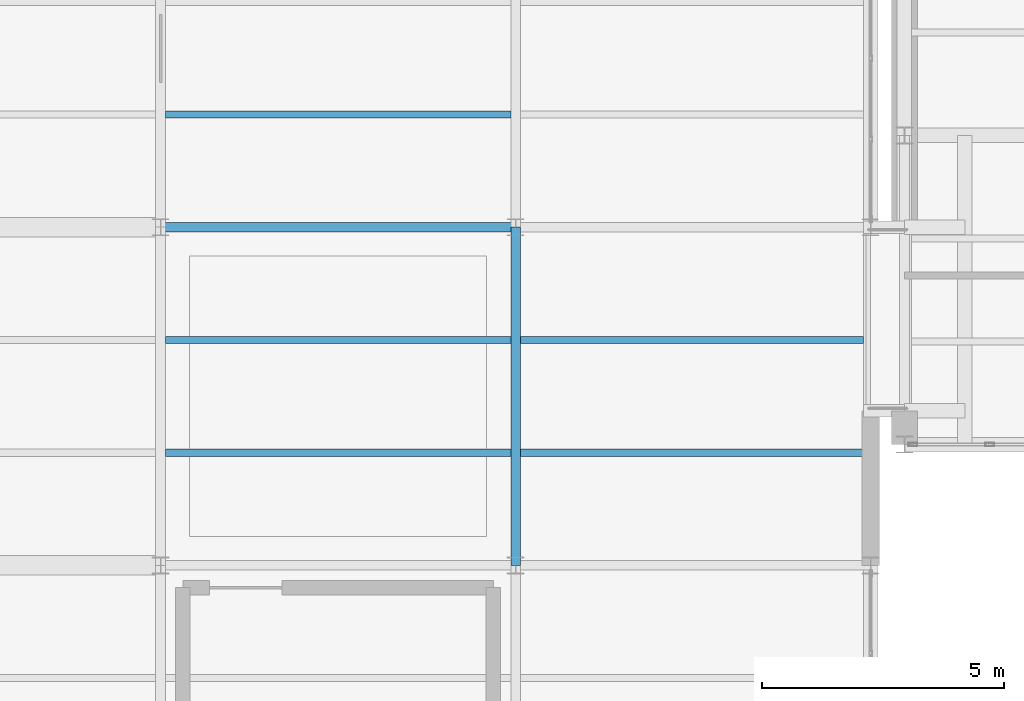
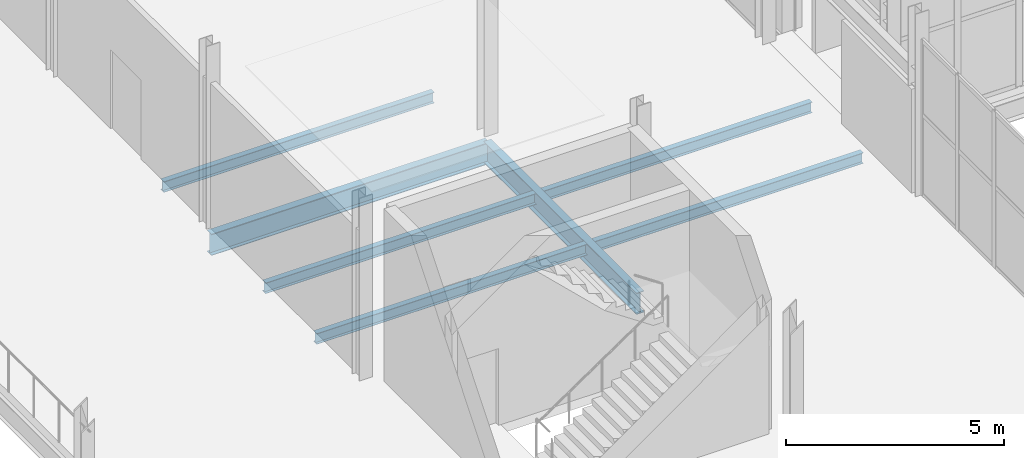
# One storey, part 43 of 218: 7 beams.
"""IFC4 building model written with IfcOpenShell, lengths in metres."""

from ifc_helpers import new_model, si_unit, direction, frame, origin, origin_2d, place, context, subcontext, project, spatial, i_section, extrude, material, material_profile, profile_set, type_object, element, save


model = new_model("IFC4")

# Units and contexts
model_context = context("Model", 3, precision=1e-05, world=origin(), true_north=direction((0.0, 1.0)))
body_context = subcontext(model_context, "Body", "Model", "MODEL_VIEW")
ifc_project = project(units=[si_unit("LENGTHUNIT", "METRE"), si_unit("AREAUNIT", "SQUARE_METRE"), si_unit("VOLUMEUNIT", "CUBIC_METRE"), si_unit("PLANEANGLEUNIT", "RADIAN"), si_unit("MASSUNIT", "GRAM", prefix="KILO")], contexts=[model_context])

# Site, building, storey
site_placement = place(None, origin())
site = spatial("IfcSite", under=ifc_project, at=site_placement, CompositionType="ELEMENT")
building_placement = place(site_placement, origin())
building = spatial("IfcBuilding", under=site, at=building_placement, Name="Kazenagashi Tramway Depot", CompositionType="ELEMENT")
storey_placement = place(building_placement, frame((0.0, 0.0, 6.0)))
storey = spatial("IfcBuildingStorey", under=building, at=storey_placement, Name="L02", CompositionType="ELEMENT", Elevation=6.0)

# Beams
ifc_material_1 = material(Name="Steel SN490B", Category="steel")
ifc_material_profile_1 = material_profile(ifc_material_1, i_section(OverallWidth=0.2, OverallDepth=0.6, WebThickness=0.011, FlangeThickness=0.017, at=origin_2d()), Name="H-600x200x11x17")
ifc_profile_set_1 = profile_set([ifc_material_profile_1], Name="Steel SN490B")
beam_type_1 = type_object("IfcBeamType", Name="G-03", PredefinedType="BEAM", material=ifc_profile_set_1)
beam_1_placement = place(storey_placement, frame((29.4, 21.0, -0.55), z_axis=(1.0, 0.0, 0.0), x_axis=(0.0, 1.0, 0.0)))
element("IfcBeam", 1, at=beam_1_placement, inside=storey, type_object=beam_type_1, Name="Beam G-03 BM-0017", PredefinedType="BEAM", context=body_context, shape_type="SweptSolid", body=[
    extrude(i_section(OverallWidth=0.2, OverallDepth=0.6, WebThickness=0.011, FlangeThickness=0.017, at=origin_2d()), origin(), (0.0, 0.0, 1.0), 7.35),
])
beam_2_placement = place(storey_placement, frame((36.75, 14.0, -0.55), z_axis=(0.0, 1.0, 0.0), x_axis=(-1.0, 0.0, 0.0)))
element("IfcBeam", 2, at=beam_2_placement, inside=storey, type_object=beam_type_1, Name="Beam G-03 BM-0188", PredefinedType="BEAM", context=body_context, shape_type="SweptSolid", body=[
    extrude(i_section(OverallWidth=0.2, OverallDepth=0.6, WebThickness=0.011, FlangeThickness=0.017, at=origin_2d()), origin(), (0.0, 0.0, 1.0), 7.0),
])
ifc_material_2 = material(Name="Steel SN400B", Category="steel")
ifc_material_profile_2 = material_profile(ifc_material_2, i_section(OverallWidth=0.15, OverallDepth=0.3, WebThickness=0.0065, FlangeThickness=0.009, at=origin_2d()), Name="H-300x150x6.5x9")
ifc_profile_set_2 = profile_set([ifc_material_profile_2], Name="Steel SN400B")
beam_type_2 = type_object("IfcBeamType", Name="J-02", PredefinedType="JOIST", material=ifc_profile_set_2)
for number, where, z_axis, x_axis, name in (
    (3, (29.5, 16.333, -0.4), (1.0, 0.0, 0.0), (0.0, 1.0, 0.0), "Beam J-02 BM-0162"),
    (4, (29.5, 18.667, -0.4), (1.0, 0.0, 0.0), (0.0, 1.0, 0.0), "Beam J-02 BM-0163"),
    (5, (29.5, 23.333, -0.4), (1.0, 0.0, 0.0), (0.0, 1.0, 0.0), "Beam J-02 BM-0165"),
):
    element("IfcBeam", number, at=place(storey_placement, frame(where, z_axis=z_axis, x_axis=x_axis)), inside=storey, type_object=beam_type_2, Name=name, PredefinedType="JOIST", context=body_context, shape_type="SweptSolid", body=[
        extrude(i_section(OverallWidth=0.15, OverallDepth=0.3, WebThickness=0.0065, FlangeThickness=0.009, at=origin_2d()), origin(), (0.0, 0.0, 1.0), 7.15),
    ])
for number, where, z_axis, x_axis, name in (
    (6, (36.85, 16.333, -0.4), (1.0, 0.0, 0.0), (0.0, 1.0, 0.0), "Beam J-02 BM-0189"),
    (7, (36.85, 18.667, -0.4), (1.0, 0.0, 0.0), (0.0, 1.0, 0.0), "Beam J-02 BM-0190"),
):
    element("IfcBeam", number, at=place(storey_placement, frame(where, z_axis=z_axis, x_axis=x_axis)), inside=storey, type_object=beam_type_2, Name=name, PredefinedType="JOIST", context=body_context, shape_type="SweptSolid", body=[
        extrude(i_section(OverallWidth=0.15, OverallDepth=0.3, WebThickness=0.0065, FlangeThickness=0.009, at=origin_2d()), origin(), (0.0, 0.0, 1.0), 7.1),
    ])

save(model, "model.ifc")
